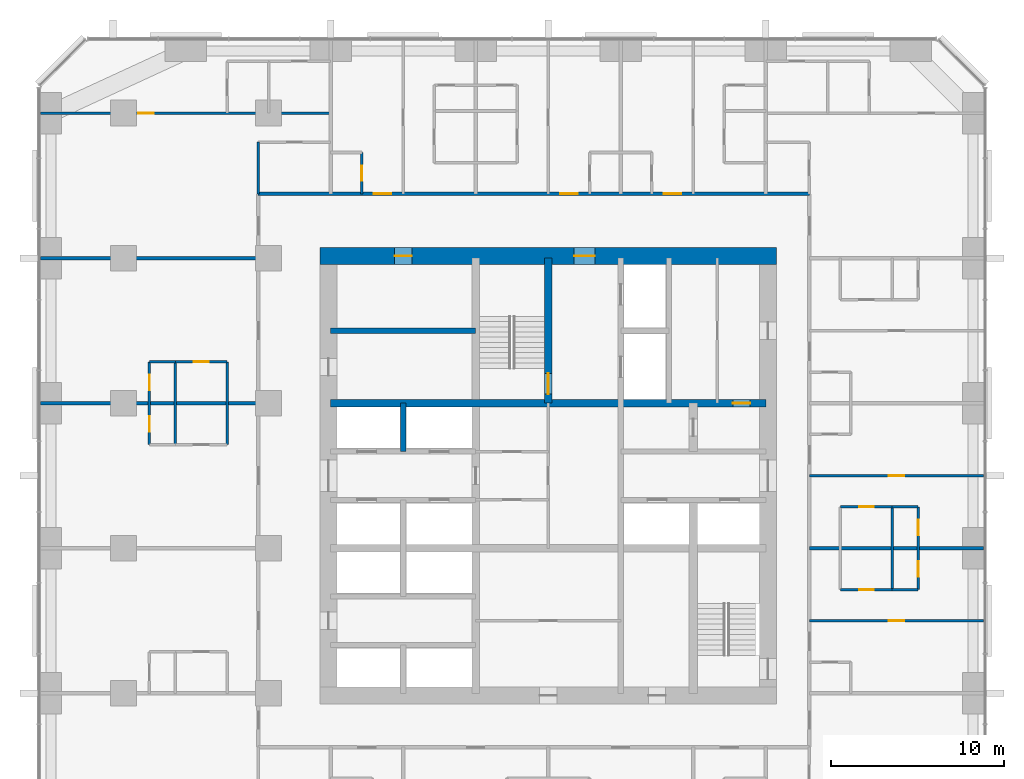
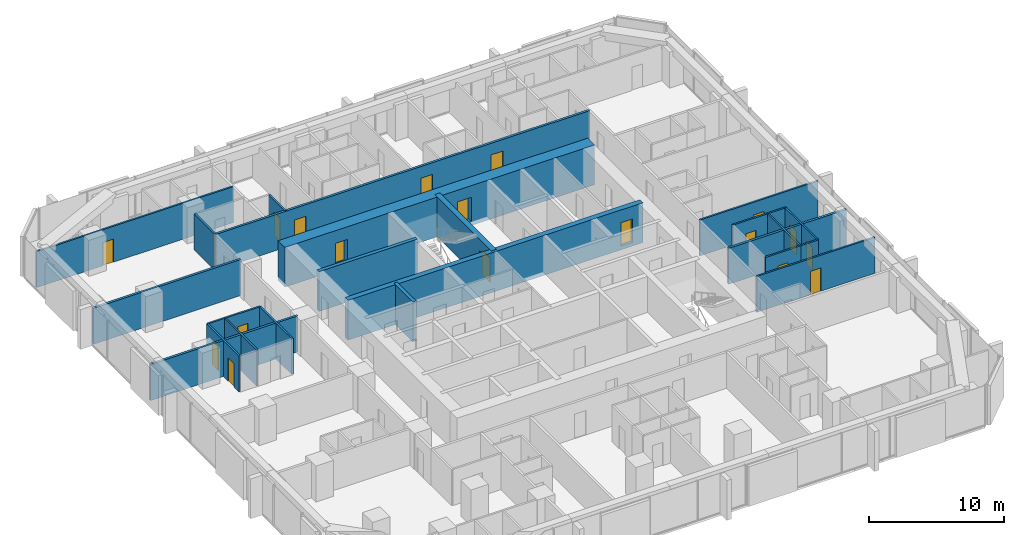
# One storey, part 11 of 14: 25 walls, 18 doors, 18 openings.
"""IFC4 building model written with IfcOpenShell, lengths in metres."""

from ifc_helpers import new_model, si_unit, direction, frame, frame_2d, origin, place, context, subcontext, project, spatial, rectangle, extrude, material, layer, layer_set, type_object, element, fill, save


model = new_model("IFC4")

# Units and contexts
model_context = context("Model", 3, precision=1e-05, world=origin(), true_north=direction((0.0, 1.0)))
body_context = subcontext(model_context, "Body", "Model", "MODEL_VIEW")
ifc_project = project(units=[si_unit("LENGTHUNIT", "METRE"), si_unit("AREAUNIT", "SQUARE_METRE"), si_unit("VOLUMEUNIT", "CUBIC_METRE"), si_unit("PLANEANGLEUNIT", "RADIAN"), si_unit("MASSUNIT", "GRAM", prefix="KILO")], contexts=[model_context])

# Site, building, storey
site_placement = place(None, origin())
site = spatial("IfcSite", under=ifc_project, at=site_placement, CompositionType="ELEMENT")
building_placement = place(site_placement, origin())
building = spatial("IfcBuilding", under=site, at=building_placement, Name="Dunama Terrace Hotel", CompositionType="ELEMENT")
storey_placement = place(building_placement, frame((0.0, 0.0, 129.60009765625)))
storey = spatial("IfcBuildingStorey", under=building, at=storey_placement, Name="L33", CompositionType="ELEMENT", Elevation=129.60009765625)

# Walls
ifc_material_1 = material(Name="Gypsum board partition", Category="masonry")
ifc_layer_1 = layer(ifc_material_1, 0.14990234375)
ifc_layer_set_1 = layer_set([ifc_layer_1], Name="Bathroom partition 150")
wall_type_1 = type_object("IfcWallType", Name="Bathroom partition 150", PredefinedType="PARTITIONING", material=ifc_layer_set_1)
wall_1_placement = place(storey_placement, frame((10.800048828125, 31.199951171875, 0.0), z_axis=(0.0, 0.0, 1.0), x_axis=(0.0, 1.0, 0.0)))
element("IfcWall", 1, at=wall_1_placement, inside=storey, type_object=wall_type_1, Name="Bathroom partition 150 L33", PredefinedType="PARTITIONING", context=body_context, shape_type="SweptSolid", body=[
    extrude(rectangle(XDim=4.800048828125, YDim=0.14990234375, at=frame_2d((2.39990234375, 0.0))), origin(), (0.0, 0.0, 1.0), 3.25),
])
wall_2_placement = place(storey_placement, frame((12.60009765625, 45.72509765625, 0.0), z_axis=(0.0, 0.0, 1.0), x_axis=(0.0, 1.0, 0.0)))
element("IfcWall", 2, at=wall_2_placement, inside=storey, type_object=wall_type_1, Name="Bathroom partition 150 L33", PredefinedType="PARTITIONING", context=body_context, shape_type="SweptSolid", body=[
    extrude(rectangle(XDim=3.0, YDim=0.14990234375, at=frame_2d((1.5, 0.0))), origin(), (0.0, 0.0, 1.0), 3.25),
])

# Wall, opening, door
wall_3_placement = place(storey_placement, frame((18.60009765625, 45.72509765625, 0.0), z_axis=(0.0, 0.0, 1.0), x_axis=(0.0, 1.0, 0.0)))
wall_3 = element("IfcWall", 3, at=wall_3_placement, inside=storey, type_object=wall_type_1, Name="Bathroom partition 150 L33", PredefinedType="PARTITIONING", context=body_context, shape_type="SweptSolid", body=[
    extrude(rectangle(XDim=2.39990234375, YDim=0.14990234375, at=frame_2d((1.199951171875, 0.0))), origin(), (0.0, 0.0, 1.0), 3.25),
])
opening_1_placement = place(wall_3_placement, frame((0.77490234375, 0.0, 0.0)))
opening_1 = element("IfcOpeningElement", 4, at=opening_1_placement, cuts=wall_3, Name="Opening L31-33-039", PredefinedType="OPENING", context=body_context, shape_type="SweptSolid", body=[
    extrude(rectangle(XDim=0.85009765625, YDim=2.10009765625, at=frame_2d((0.425048828125, 1.050048828125))), frame((0.0, 0.0849609375, 0.0), z_axis=(0.0, -1.0, 0.0), x_axis=(1.0, 0.0, 0.0)), (0.0, 0.0, 1.0), 0.169921875),
])
ifc_material_2 = material(Name="Timber door with steel frame", Category="steel")
door_type_1 = type_object("IfcDoorType", Name="Bathroom door 850", OperationType="SINGLE_SWING_LEFT", PredefinedType="DOOR", material=ifc_material_2)
door_1_placement = place(opening_1_placement, origin())
door_1 = element("IfcDoor", 5, at=door_1_placement, inside=storey, type_object=door_type_1, Name="Door to powder room L31-33-039, type D2", OperationType="SINGLE_SWING_LEFT", OverallHeight=2.10009765625, OverallWidth=0.85009765625, PredefinedType="DOOR", context=body_context, shape_type="SweptSolid", body=[
    extrude(rectangle(XDim=0.85009765625, YDim=2.10009765625, at=frame_2d((0.425048828125, 1.050048828125))), frame((0.0, 0.02490234375, 0.0), z_axis=(0.0, -1.0, 0.0), x_axis=(1.0, 0.0, 0.0)), (0.0, 0.0, 1.0), 0.050048828125),
])
fill(opening_1, door_1)

wall_4_placement = place(storey_placement, frame((46.324951171875, 22.800048828125, 0.0), z_axis=(0.0, 0.0, 1.0), x_axis=(1.0, 0.0, 0.0)))
wall_4 = element("IfcWall", 6, at=wall_4_placement, inside=storey, type_object=wall_type_1, Name="Bathroom partition 150 L33", PredefinedType="PARTITIONING", context=body_context, shape_type="SweptSolid", body=[
    extrude(rectangle(XDim=3.0, YDim=0.14990234375, at=frame_2d((1.5, 0.0))), origin(), (0.0, 0.0, 1.0), 3.25),
])
opening_2_placement = place(wall_4_placement, frame((1.074951171875, 0.0, 0.0)))
opening_2 = element("IfcOpeningElement", 7, at=opening_2_placement, cuts=wall_4, Name="Opening L31-33-026", PredefinedType="OPENING", context=body_context, shape_type="SweptSolid", body=[
    extrude(rectangle(XDim=0.85009765625, YDim=2.10009765625, at=frame_2d((0.425048828125, 1.050048828125))), frame((0.0, 0.0849609375, 0.0), z_axis=(0.0, -1.0, 0.0), x_axis=(1.0, 0.0, 0.0)), (0.0, 0.0, 1.0), 0.169921875),
])
door_2_placement = place(opening_2_placement, origin())
door_2 = element("IfcDoor", 8, at=door_2_placement, inside=storey, type_object=door_type_1, Name="Door to en-suite bathroom L31-33-026, type D2", OperationType="SINGLE_SWING_RIGHT", OverallHeight=2.10009765625, OverallWidth=0.85009765625, PredefinedType="DOOR", context=body_context, shape_type="SweptSolid", body=[
    extrude(rectangle(XDim=0.85009765625, YDim=2.10009765625, at=frame_2d((0.425048828125, 1.050048828125))), frame((0.0, 0.02490234375, 0.0), z_axis=(0.0, -1.0, 0.0), x_axis=(1.0, 0.0, 0.0)), (0.0, 0.0, 1.0), 0.050048828125),
])
fill(opening_2, door_2)

wall_5_placement = place(storey_placement, frame((46.324951171875, 27.60009765625, 0.0), z_axis=(0.0, 0.0, 1.0), x_axis=(1.0, 0.0, 0.0)))
wall_5 = element("IfcWall", 9, at=wall_5_placement, inside=storey, type_object=wall_type_1, Name="Bathroom partition 150 L33", PredefinedType="PARTITIONING", context=body_context, shape_type="SweptSolid", body=[
    extrude(rectangle(XDim=3.0, YDim=0.14990234375, at=frame_2d((1.5, 0.0))), origin(), (0.0, 0.0, 1.0), 3.25),
])
opening_3_placement = place(wall_5_placement, frame((1.074951171875, 0.0, 0.0)))
opening_3 = element("IfcOpeningElement", 10, at=opening_3_placement, cuts=wall_5, Name="Opening L31-33-031", PredefinedType="OPENING", context=body_context, shape_type="SweptSolid", body=[
    extrude(rectangle(XDim=0.85009765625, YDim=2.10009765625, at=frame_2d((0.425048828125, 1.050048828125))), frame((0.0, 0.0849609375, 0.0), z_axis=(0.0, -1.0, 0.0), x_axis=(1.0, 0.0, 0.0)), (0.0, 0.0, 1.0), 0.169921875),
])
door_3_placement = place(opening_3_placement, frame((0.85009765625, 0.0, 0.0), z_axis=(0.0, 0.0, 1.0), x_axis=(-1.0, 0.0, 0.0)))
door_3 = element("IfcDoor", 11, at=door_3_placement, inside=storey, type_object=door_type_1, Name="Door to en-suite bathroom L31-33-031, type D2", OperationType="SINGLE_SWING_LEFT", OverallHeight=2.10009765625, OverallWidth=0.85009765625, PredefinedType="DOOR", context=body_context, shape_type="SweptSolid", body=[
    extrude(rectangle(XDim=0.85009765625, YDim=2.10009765625, at=frame_2d((0.425048828125, 1.050048828125))), frame((0.0, 0.025146484375, 0.0), z_axis=(0.0, -1.0, 0.0), x_axis=(1.0, 0.0, 0.0)), (0.0, 0.0, 1.0), 0.050048828125),
])
fill(opening_3, door_3)

wall_6_placement = place(storey_placement, frame((7.800048828125, 36.0, 0.0), z_axis=(0.0, 0.0, 1.0), x_axis=(1.0, 0.0, 0.0)))
wall_6 = element("IfcWall", 12, at=wall_6_placement, inside=storey, type_object=wall_type_1, Name="Bathroom partition 150 L33", PredefinedType="PARTITIONING", context=body_context, shape_type="SweptSolid", body=[
    extrude(rectangle(XDim=3.0, YDim=0.14990234375, at=frame_2d((1.5, 0.0))), origin(), (0.0, 0.0, 1.0), 3.25),
])
opening_4_placement = place(wall_6_placement, frame((1.074951171875, 0.0, 0.0)))
opening_4 = element("IfcOpeningElement", 13, at=opening_4_placement, cuts=wall_6, Name="Opening L31-33-060", PredefinedType="OPENING", context=body_context, shape_type="SweptSolid", body=[
    extrude(rectangle(XDim=0.85009765625, YDim=2.10009765625, at=frame_2d((0.425048828125, 1.050048828125))), frame((0.0, 0.0849609375, 0.0), z_axis=(0.0, -1.0, 0.0), x_axis=(1.0, 0.0, 0.0)), (0.0, 0.0, 1.0), 0.169921875),
])
door_4_placement = place(opening_4_placement, frame((0.85009765625, 0.0, 0.0), z_axis=(0.0, 0.0, 1.0), x_axis=(-1.0, 0.0, 0.0)))
door_4 = element("IfcDoor", 14, at=door_4_placement, inside=storey, type_object=door_type_1, Name="Door to en-suite bathroom L31-33-060, type D2", OperationType="SINGLE_SWING_RIGHT", OverallHeight=2.10009765625, OverallWidth=0.85009765625, PredefinedType="DOOR", context=body_context, shape_type="SweptSolid", body=[
    extrude(rectangle(XDim=0.85009765625, YDim=2.10009765625, at=frame_2d((0.425048828125, 1.050048828125))), frame((0.0, 0.025146484375, 0.0), z_axis=(0.0, -1.0, 0.0), x_axis=(1.0, 0.0, 0.0)), (0.0, 0.0, 1.0), 0.050048828125),
])
fill(opening_4, door_4)

# Walls
ifc_material_3 = material(Name="Concrete C50/60", Category="concrete")
ifc_layer_2 = layer(ifc_material_3, 0.300048828125)
ifc_layer_set_2 = layer_set([ifc_layer_2], Name="Core inner wall 300")
wall_type_2 = type_object("IfcWallType", Name="Core inner wall 300", PredefinedType="SHEAR", material=ifc_layer_set_2)
wall_7_placement = place(storey_placement, frame((21.0, 30.800048828125, -0.35009765625), z_axis=(0.0, 0.0, 1.0), x_axis=(0.0, 1.0, 0.0)))
element("IfcWall", 15, at=wall_7_placement, inside=storey, type_object=wall_type_2, Name="Core inner wall 300 L33", PredefinedType="SHEAR", context=body_context, shape_type="SweptSolid", body=[
    extrude(rectangle(XDim=2.800048828125, YDim=0.300048828125, at=frame_2d((1.39990234375, 0.0))), origin(), (0.0, 0.0, 1.0), 3.60009765625),
])
wall_8_placement = place(storey_placement, frame((16.800048828125, 37.800048828125, -0.35009765625), z_axis=(0.0, 0.0, 1.0), x_axis=(1.0, 0.0, 0.0)))
element("IfcWall", 16, at=wall_8_placement, inside=storey, type_object=wall_type_2, Name="Core inner wall 300 L33", PredefinedType="SHEAR", context=body_context, shape_type="SweptSolid", body=[
    extrude(rectangle(XDim=8.39990234375, YDim=0.300048828125, at=frame_2d((4.199951171875, 0.0))), origin(), (0.0, 0.0, 1.0), 3.60009765625),
])

# Wall, opening, door
ifc_material_4 = material(Name="Concrete C50/60", Category="concrete")
ifc_layer_3 = layer(ifc_material_4, 0.449951171875)
ifc_layer_set_3 = layer_set([ifc_layer_3], Name="Core inner wall 450")
wall_type_3 = type_object("IfcWallType", Name="Core inner wall 450", PredefinedType="SHEAR", material=ifc_layer_set_3)
wall_9_placement = place(storey_placement, frame((29.39990234375, 33.60009765625, -0.35009765625), z_axis=(0.0, 0.0, 1.0), x_axis=(0.0, 1.0, 0.0)))
wall_9 = element("IfcWall", 17, at=wall_9_placement, inside=storey, type_object=wall_type_3, Name="Core inner wall 450 L33", PredefinedType="SHEAR", context=body_context, shape_type="SweptSolid", body=[
    extrude(rectangle(XDim=8.39990234375, YDim=0.449951171875, at=frame_2d((4.199951171875, 0.0))), origin(), (0.0, 0.0, 1.0), 3.60009765625),
])
opening_5_placement = place(wall_9_placement, frame((0.52490234375, 0.0, 0.35009765625)))
opening_5 = element("IfcOpeningElement", 18, at=opening_5_placement, cuts=wall_9, Name="Opening L31-33-001", PredefinedType="OPENING", context=body_context, shape_type="SweptSolid", body=[
    extrude(rectangle(XDim=1.199951171875, YDim=2.199951171875, at=frame_2d((0.60009765625, 1.10009765625))), frame((0.0, 0.23486328125, 0.0), z_axis=(0.0, -1.0, 0.0), x_axis=(1.0, 0.0, 0.0)), (0.0, 0.0, 1.0), 0.469970703125),
])
ifc_material_5 = material(Name="Timber door with steel frame", Category="steel")
door_type_2 = type_object("IfcDoorType", Name="Stair door 1200", OperationType="SINGLE_SWING_LEFT", PredefinedType="DOOR", material=ifc_material_5)
door_5_placement = place(opening_5_placement, origin())
door_5 = element("IfcDoor", 19, at=door_5_placement, inside=storey, type_object=door_type_2, Name="Stair door ST1 L31-33-001, type D5", OperationType="SINGLE_SWING_LEFT", OverallHeight=2.199951171875, OverallWidth=1.199951171875, PredefinedType="DOOR", context=body_context, shape_type="SweptSolid", body=[
    extrude(rectangle(XDim=1.199951171875, YDim=2.199951171875, at=frame_2d((0.60009765625, 1.10009765625))), frame((0.0, 0.02490234375, 0.0), z_axis=(0.0, -1.0, 0.0), x_axis=(1.0, 0.0, 0.0)), (0.0, 0.0, 1.0), 0.050048828125),
])
fill(opening_5, door_5)

wall_10_placement = place(storey_placement, frame((16.800048828125, 33.60009765625, -0.35009765625), z_axis=(0.0, 0.0, 1.0), x_axis=(1.0, 0.0, 0.0)))
wall_10 = element("IfcWall", 20, at=wall_10_placement, inside=storey, type_object=wall_type_3, Name="Core inner wall 450 L33", PredefinedType="SHEAR", context=body_context, shape_type="SweptSolid", body=[
    extrude(rectangle(XDim=25.199951171875, YDim=0.449951171875, at=frame_2d((12.60009765625, 0.0))), origin(), (0.0, 0.0, 1.0), 3.60009765625),
])
opening_6_placement = place(wall_10_placement, frame((23.300048828125, 0.0, 0.35009765625)))
opening_6 = element("IfcOpeningElement", 21, at=opening_6_placement, cuts=wall_10, Name="Opening L31-33-091", PredefinedType="OPENING", context=body_context, shape_type="SweptSolid", body=[
    extrude(rectangle(XDim=1.0, YDim=2.10009765625, at=frame_2d((0.5, 1.050048828125))), frame((0.0, 0.23486328125, 0.0), z_axis=(0.0, -1.0, 0.0), x_axis=(1.0, 0.0, 0.0)), (0.0, 0.0, 1.0), 0.469970703125),
])
ifc_material_6 = material(Name="Timber door with steel frame", Category="steel")
door_type_3 = type_object("IfcDoorType", Name="Service door 1000", OperationType="SINGLE_SWING_LEFT", PredefinedType="DOOR", material=ifc_material_6)
door_6_placement = place(opening_6_placement, frame((1.0, 0.0, 0.0), z_axis=(0.0, 0.0, 1.0), x_axis=(-1.0, 0.0, 0.0)))
door_6 = element("IfcDoor", 22, at=door_6_placement, inside=storey, type_object=door_type_3, Name="Door to housekeeping and linen store L31-33-091, type D7", OperationType="SINGLE_SWING_LEFT", OverallHeight=2.10009765625, OverallWidth=1.0, PredefinedType="DOOR", context=body_context, shape_type="SweptSolid", body=[
    extrude(rectangle(XDim=1.0, YDim=2.10009765625, at=frame_2d((0.5, 1.050048828125))), frame((0.0, 0.025146484375, 0.0), z_axis=(0.0, -1.0, 0.0), x_axis=(1.0, 0.0, 0.0)), (0.0, 0.0, 1.0), 0.050048828125),
])
fill(opening_6, door_6)

# Wall, openings, doors
ifc_material_7 = material(Name="Concrete C60/75", Category="concrete")
ifc_layer_4 = layer(ifc_material_7, 1.0)
ifc_layer_set_4 = layer_set([ifc_layer_4], Name="Core wall 1000")
wall_type_4 = type_object("IfcWallType", Name="Core wall 1000", PredefinedType="SHEAR", material=ifc_layer_set_4)
wall_11_placement = place(storey_placement, frame((42.625, 42.125, -0.35009765625), z_axis=(0.0, 0.0, 1.0), x_axis=(-1.0, 0.0, 0.0)))
wall_11 = element("IfcWall", 23, at=wall_11_placement, inside=storey, type_object=wall_type_4, Name="Core wall north L33", PredefinedType="SHEAR", context=body_context, shape_type="SweptSolid", body=[
    extrude(rectangle(XDim=26.449951171875, YDim=1.0, at=frame_2d((13.22509765625, 0.0))), origin(), (0.0, 0.0, 1.0), 3.60009765625),
])
opening_7_placement = place(wall_11_placement, frame((21.125, 0.0, 0.35009765625)))
opening_7 = element("IfcOpeningElement", 24, at=opening_7_placement, cuts=wall_11, Name="Opening L31-33-085", PredefinedType="OPENING", context=body_context, shape_type="SweptSolid", body=[
    extrude(rectangle(XDim=1.0, YDim=2.10009765625, at=frame_2d((0.5, 1.050048828125))), frame((0.0, 0.510009765625, 0.0), z_axis=(0.0, -1.0, 0.0), x_axis=(1.0, 0.0, 0.0)), (0.0, 0.0, 1.0), 1.02001953125),
])
opening_8_placement = place(wall_11_placement, frame((10.52490234375, 0.0, 0.35009765625)))
opening_8 = element("IfcOpeningElement", 25, at=opening_8_placement, cuts=wall_11, Name="Opening L31-33-093", PredefinedType="OPENING", context=body_context, shape_type="SweptSolid", body=[
    extrude(rectangle(XDim=1.199951171875, YDim=2.199951171875, at=frame_2d((0.60009765625, 1.10009765625))), frame((0.0, 0.510009765625, 0.0), z_axis=(0.0, -1.0, 0.0), x_axis=(1.0, 0.0, 0.0)), (0.0, 0.0, 1.0), 1.02001953125),
])
ifc_material_8 = material(Name="Timber door with steel frame", Category="steel")
door_type_4 = type_object("IfcDoorType", Name="Firefighting lobby door 1200", OperationType="SINGLE_SWING_LEFT", PredefinedType="DOOR", material=ifc_material_8)
door_7_placement = place(opening_8_placement, origin())
door_7 = element("IfcDoor", 26, at=door_7_placement, inside=storey, type_object=door_type_4, Name="Door to firefighting lobby L31-33-093, type D4", OperationType="SINGLE_SWING_RIGHT", OverallHeight=2.199951171875, OverallWidth=1.199951171875, PredefinedType="DOOR", context=body_context, shape_type="SweptSolid", body=[
    extrude(rectangle(XDim=1.199951171875, YDim=2.199951171875, at=frame_2d((0.60009765625, 1.10009765625))), frame((0.0, 0.02490234375, 0.0), z_axis=(0.0, -1.0, 0.0), x_axis=(1.0, 0.0, 0.0)), (0.0, 0.0, 1.0), 0.050048828125),
])
fill(opening_8, door_7)
door_8_placement = place(opening_7_placement, origin())
door_8 = element("IfcDoor", 27, at=door_8_placement, inside=storey, type_object=door_type_3, Name="Door to communications and riser room L31-33-085, type D7", OperationType="SINGLE_SWING_LEFT", OverallHeight=2.10009765625, OverallWidth=1.0, PredefinedType="DOOR", context=body_context, shape_type="SweptSolid", body=[
    extrude(rectangle(XDim=1.0, YDim=2.10009765625, at=frame_2d((0.5, 1.050048828125))), frame((0.0, 0.02490234375, 0.0), z_axis=(0.0, -1.0, 0.0), x_axis=(1.0, 0.0, 0.0)), (0.0, 0.0, 1.0), 0.050048828125),
])
fill(opening_7, door_8)

ifc_material_9 = material(Name="Concrete blockwork", Category="masonry")
ifc_layer_5 = layer(ifc_material_9, 0.199951171875)
ifc_layer_set_5 = layer_set([ifc_layer_5], Name="Corridor partition 200")
wall_type_5 = type_object("IfcWallType", Name="Corridor partition 200", PredefinedType="PARTITIONING", material=ifc_layer_set_5)
wall_12_placement = place(storey_placement, frame((12.60009765625, 45.72509765625, 0.0), z_axis=(0.0, 0.0, 1.0), x_axis=(1.0, 0.0, 0.0)))
wall_12 = element("IfcWall", 28, at=wall_12_placement, inside=storey, type_object=wall_type_5, Name="Corridor partition 200 L33", PredefinedType="PARTITIONING", context=body_context, shape_type="SweptSolid", body=[
    extrude(rectangle(XDim=31.9248046875, YDim=0.199951171875, at=frame_2d((15.96240234375, 0.0))), origin(), (0.0, 0.0, 1.0), 3.25),
])
opening_9_placement = place(wall_12_placement, frame((6.699951171875, 0.0, 0.0)))
opening_9 = element("IfcOpeningElement", 29, at=opening_9_placement, cuts=wall_12, Name="Opening L31-33-038", PredefinedType="OPENING", context=body_context, shape_type="SweptSolid", body=[
    extrude(rectangle(XDim=1.0, YDim=2.199951171875, at=frame_2d((0.5, 1.10009765625))), frame((0.0, 0.10986328125, 0.0), z_axis=(0.0, -1.0, 0.0), x_axis=(1.0, 0.0, 0.0)), (0.0, 0.0, 1.0), 0.219970703125),
])
opening_10_placement = place(wall_12_placement, frame((17.5, 0.0, 0.0)))
opening_10 = element("IfcOpeningElement", 30, at=opening_10_placement, cuts=wall_12, Name="Opening L31-33-043", PredefinedType="OPENING", context=body_context, shape_type="SweptSolid", body=[
    extrude(rectangle(XDim=1.0, YDim=2.199951171875, at=frame_2d((0.5, 1.10009765625))), frame((0.0, 0.10986328125, 0.0), z_axis=(0.0, -1.0, 0.0), x_axis=(1.0, 0.0, 0.0)), (0.0, 0.0, 1.0), 0.219970703125),
])
opening_11_placement = place(wall_12_placement, frame((23.5, 0.0, 0.0)))
opening_11 = element("IfcOpeningElement", 31, at=opening_11_placement, cuts=wall_12, Name="Opening L31-33-048", PredefinedType="OPENING", context=body_context, shape_type="SweptSolid", body=[
    extrude(rectangle(XDim=1.0, YDim=2.199951171875, at=frame_2d((0.5, 1.10009765625))), frame((0.0, 0.10986328125, 0.0), z_axis=(0.0, -1.0, 0.0), x_axis=(1.0, 0.0, 0.0)), (0.0, 0.0, 1.0), 0.219970703125),
])
ifc_material_10 = material(Name="Timber door with steel frame", Category="steel")
door_type_5 = type_object("IfcDoorType", Name="Guest room door 1000", OperationType="SINGLE_SWING_LEFT", PredefinedType="DOOR", material=ifc_material_10)
door_9_placement = place(opening_9_placement, origin())
door_9 = element("IfcDoor", 32, at=door_9_placement, inside=storey, type_object=door_type_5, Name="Door to premier suite living room L31-33-038, type D1", OperationType="SINGLE_SWING_LEFT", OverallHeight=2.199951171875, OverallWidth=1.0, PredefinedType="DOOR", context=body_context, shape_type="SweptSolid", body=[
    extrude(rectangle(XDim=1.0, YDim=2.199951171875, at=frame_2d((0.5, 1.10009765625))), frame((0.0, 0.02490234375, 0.0), z_axis=(0.0, -1.0, 0.0), x_axis=(1.0, 0.0, 0.0)), (0.0, 0.0, 1.0), 0.050048828125),
])
fill(opening_9, door_9)
door_10_placement = place(opening_10_placement, origin())
door_10 = element("IfcDoor", 33, at=door_10_placement, inside=storey, type_object=door_type_5, Name="Door to premier suite living room L31-33-043, type D1", OperationType="SINGLE_SWING_RIGHT", OverallHeight=2.199951171875, OverallWidth=1.0, PredefinedType="DOOR", context=body_context, shape_type="SweptSolid", body=[
    extrude(rectangle(XDim=1.0, YDim=2.199951171875, at=frame_2d((0.5, 1.10009765625))), frame((0.0, 0.02490234375, 0.0), z_axis=(0.0, -1.0, 0.0), x_axis=(1.0, 0.0, 0.0)), (0.0, 0.0, 1.0), 0.050048828125),
])
fill(opening_10, door_10)
door_11_placement = place(opening_11_placement, origin())
door_11 = element("IfcDoor", 34, at=door_11_placement, inside=storey, type_object=door_type_5, Name="Door to premier suite living room L31-33-048, type D1", OperationType="SINGLE_SWING_RIGHT", OverallHeight=2.199951171875, OverallWidth=1.0, PredefinedType="DOOR", context=body_context, shape_type="SweptSolid", body=[
    extrude(rectangle(XDim=1.0, YDim=2.199951171875, at=frame_2d((0.5, 1.10009765625))), frame((0.0, 0.02490234375, 0.0), z_axis=(0.0, -1.0, 0.0), x_axis=(1.0, 0.0, 0.0)), (0.0, 0.0, 1.0), 0.050048828125),
])
fill(opening_11, door_11)

# Walls
ifc_material_11 = material(Name="Concrete blockwork", Category="masonry")
ifc_layer_6 = layer(ifc_material_11, 0.199951171875)
ifc_layer_set_6 = layer_set([ifc_layer_6], Name="Party wall 200")
wall_type_6 = type_object("IfcWallType", Name="Party wall 200", PredefinedType="PARTITIONING", material=ifc_layer_set_6)
wall_13_placement = place(storey_placement, frame((44.52490234375, 25.199951171875, 0.0), z_axis=(0.0, 0.0, 1.0), x_axis=(1.0, 0.0, 0.0)))
element("IfcWall", 35, at=wall_13_placement, inside=storey, type_object=wall_type_6, Name="Party wall 200 L33", PredefinedType="PARTITIONING", context=body_context, shape_type="SweptSolid", body=[
    extrude(rectangle(XDim=10.093017578125, YDim=0.199951171875, at=frame_2d((5.04638671875, 0.0))), origin(), (0.0, 0.0, 1.0), 3.25),
])
for number, where, z_axis, x_axis, name in (
    (36, (-0.01806640625, 33.60009765625, 0.0), (0.0, 0.0, 1.0), (1.0, 0.0, 0.0), "Party wall 200 L33"),
    (37, (-0.01806640625, 42.0, 0.0), (0.0, 0.0, 1.0), (1.0, 0.0, 0.0), "Party wall 200 L33"),
):
    element("IfcWall", number, at=place(storey_placement, frame(where, z_axis=z_axis, x_axis=x_axis)), inside=storey, type_object=wall_type_6, Name=name, PredefinedType="PARTITIONING", context=body_context, shape_type="SweptSolid", body=[
        extrude(rectangle(XDim=12.6181640625, YDim=0.199951171875, at=frame_2d((6.30908203125, 0.0))), origin(), (0.0, 0.0, 1.0), 3.25),
    ])

# Wall, openings, doors
ifc_material_12 = material(Name="Gypsum board partition", Category="masonry")
ifc_layer_7 = layer(ifc_material_12, 0.14990234375)
ifc_layer_set_7 = layer_set([ifc_layer_7], Name="Room partition 150")
wall_type_7 = type_object("IfcWallType", Name="Room partition 150", PredefinedType="PARTITIONING", material=ifc_layer_set_7)
wall_14_placement = place(storey_placement, frame((6.300048828125, 31.199951171875, 0.0), z_axis=(0.0, 0.0, 1.0), x_axis=(0.0, 1.0, 0.0)))
wall_14 = element("IfcWall", 38, at=wall_14_placement, inside=storey, type_object=wall_type_7, Name="Room partition 150 L33", PredefinedType="PARTITIONING", context=body_context, shape_type="SweptSolid", body=[
    extrude(rectangle(XDim=4.800048828125, YDim=0.14990234375, at=frame_2d((2.39990234375, 0.0))), origin(), (0.0, 0.0, 1.0), 3.25),
])
opening_12_placement = place(wall_14_placement, frame((0.75, 0.0, 0.0)))
opening_12 = element("IfcOpeningElement", 39, at=opening_12_placement, cuts=wall_14, Name="Opening L31-33-058", PredefinedType="OPENING", context=body_context, shape_type="SweptSolid", body=[
    extrude(rectangle(XDim=0.89990234375, YDim=2.10009765625, at=frame_2d((0.449951171875, 1.050048828125))), frame((0.0, 0.0849609375, 0.0), z_axis=(0.0, -1.0, 0.0), x_axis=(1.0, 0.0, 0.0)), (0.0, 0.0, 1.0), 0.169921875),
])
opening_13_placement = place(wall_14_placement, frame((3.14990234375, 0.0, 0.0)))
opening_13 = element("IfcOpeningElement", 40, at=opening_13_placement, cuts=wall_14, Name="Opening L31-33-061", PredefinedType="OPENING", context=body_context, shape_type="SweptSolid", body=[
    extrude(rectangle(XDim=0.89990234375, YDim=2.10009765625, at=frame_2d((0.449951171875, 1.050048828125))), frame((0.0, 0.0849609375, 0.0), z_axis=(0.0, -1.0, 0.0), x_axis=(1.0, 0.0, 0.0)), (0.0, 0.0, 1.0), 0.169921875),
])
ifc_material_13 = material(Name="Timber door with steel frame", Category="steel")
door_type_6 = type_object("IfcDoorType", Name="Suite internal door 900", OperationType="SINGLE_SWING_LEFT", PredefinedType="DOOR", material=ifc_material_13)
door_12_placement = place(opening_12_placement, frame((0.89990234375, 0.0, 0.0), z_axis=(0.0, 0.0, 1.0), x_axis=(-1.0, 0.0, 0.0)))
door_12 = element("IfcDoor", 41, at=door_12_placement, inside=storey, type_object=door_type_6, Name="Door to walk-in wardrobe L31-33-058, type D16", OperationType="SINGLE_SWING_RIGHT", OverallHeight=2.10009765625, OverallWidth=0.89990234375, PredefinedType="DOOR", context=body_context, shape_type="SweptSolid", body=[
    extrude(rectangle(XDim=0.89990234375, YDim=2.10009765625, at=frame_2d((0.449951171875, 1.050048828125))), frame((0.0, 0.025146484375, 0.0), z_axis=(0.0, -1.0, 0.0), x_axis=(1.0, 0.0, 0.0)), (0.0, 0.0, 1.0), 0.050048828125),
])
fill(opening_12, door_12)
door_13_placement = place(opening_13_placement, frame((0.89990234375, 0.0, 0.0), z_axis=(0.0, 0.0, 1.0), x_axis=(-1.0, 0.0, 0.0)))
door_13 = element("IfcDoor", 42, at=door_13_placement, inside=storey, type_object=door_type_6, Name="Door to walk-in wardrobe L31-33-061, type D16", OperationType="SINGLE_SWING_RIGHT", OverallHeight=2.10009765625, OverallWidth=0.89990234375, PredefinedType="DOOR", context=body_context, shape_type="SweptSolid", body=[
    extrude(rectangle(XDim=0.89990234375, YDim=2.10009765625, at=frame_2d((0.449951171875, 1.050048828125))), frame((0.0, 0.025146484375, 0.0), z_axis=(0.0, -1.0, 0.0), x_axis=(1.0, 0.0, 0.0)), (0.0, 0.0, 1.0), 0.050048828125),
])
fill(opening_13, door_13)

# Walls
for number, where, z_axis, x_axis, name in (
    (43, (7.800048828125, 31.199951171875, 0.0), (0.0, 0.0, 1.0), (0.0, 1.0, 0.0), "Room partition 150 L33"),
    (44, (49.324951171875, 22.800048828125, 0.0), (0.0, 0.0, 1.0), (0.0, 1.0, 0.0), "Room partition 150 L33"),
):
    element("IfcWall", number, at=place(storey_placement, frame(where, z_axis=z_axis, x_axis=x_axis)), inside=storey, type_object=wall_type_7, Name=name, PredefinedType="PARTITIONING", context=body_context, shape_type="SweptSolid", body=[
        extrude(rectangle(XDim=4.800048828125, YDim=0.14990234375, at=frame_2d((2.39990234375, 0.0))), origin(), (0.0, 0.0, 1.0), 3.25),
    ])

# Wall, openings, doors
wall_15_placement = place(storey_placement, frame((50.824951171875, 22.800048828125, 0.0), z_axis=(0.0, 0.0, 1.0), x_axis=(0.0, 1.0, 0.0)))
wall_15 = element("IfcWall", 45, at=wall_15_placement, inside=storey, type_object=wall_type_7, Name="Room partition 150 L33", PredefinedType="PARTITIONING", context=body_context, shape_type="SweptSolid", body=[
    extrude(rectangle(XDim=4.800048828125, YDim=0.14990234375, at=frame_2d((2.39990234375, 0.0))), origin(), (0.0, 0.0, 1.0), 3.25),
])
opening_14_placement = place(wall_15_placement, frame((0.75, 0.0, 0.0)))
opening_14 = element("IfcOpeningElement", 46, at=opening_14_placement, cuts=wall_15, Name="Opening L31-33-027", PredefinedType="OPENING", context=body_context, shape_type="SweptSolid", body=[
    extrude(rectangle(XDim=0.89990234375, YDim=2.10009765625, at=frame_2d((0.449951171875, 1.050048828125))), frame((0.0, 0.0849609375, 0.0), z_axis=(0.0, -1.0, 0.0), x_axis=(1.0, 0.0, 0.0)), (0.0, 0.0, 1.0), 0.169921875),
])
opening_15_placement = place(wall_15_placement, frame((3.14990234375, 0.0, 0.0)))
opening_15 = element("IfcOpeningElement", 47, at=opening_15_placement, cuts=wall_15, Name="Opening L31-33-032", PredefinedType="OPENING", context=body_context, shape_type="SweptSolid", body=[
    extrude(rectangle(XDim=0.89990234375, YDim=2.10009765625, at=frame_2d((0.449951171875, 1.050048828125))), frame((0.0, 0.0849609375, 0.0), z_axis=(0.0, -1.0, 0.0), x_axis=(1.0, 0.0, 0.0)), (0.0, 0.0, 1.0), 0.169921875),
])
door_14_placement = place(opening_14_placement, origin())
door_14 = element("IfcDoor", 48, at=door_14_placement, inside=storey, type_object=door_type_6, Name="Door to walk-in wardrobe L31-33-027, type D16", OperationType="SINGLE_SWING_LEFT", OverallHeight=2.10009765625, OverallWidth=0.89990234375, PredefinedType="DOOR", context=body_context, shape_type="SweptSolid", body=[
    extrude(rectangle(XDim=0.89990234375, YDim=2.10009765625, at=frame_2d((0.449951171875, 1.050048828125))), frame((0.0, 0.02490234375, 0.0), z_axis=(0.0, -1.0, 0.0), x_axis=(1.0, 0.0, 0.0)), (0.0, 0.0, 1.0), 0.050048828125),
])
fill(opening_14, door_14)
door_15_placement = place(opening_15_placement, origin())
door_15 = element("IfcDoor", 49, at=door_15_placement, inside=storey, type_object=door_type_6, Name="Door to walk-in wardrobe L31-33-032, type D16", OperationType="SINGLE_SWING_LEFT", OverallHeight=2.10009765625, OverallWidth=0.89990234375, PredefinedType="DOOR", context=body_context, shape_type="SweptSolid", body=[
    extrude(rectangle(XDim=0.89990234375, YDim=2.10009765625, at=frame_2d((0.449951171875, 1.050048828125))), frame((0.0, 0.02490234375, 0.0), z_axis=(0.0, -1.0, 0.0), x_axis=(1.0, 0.0, 0.0)), (0.0, 0.0, 1.0), 0.050048828125),
])
fill(opening_15, door_15)

# Wall, opening, door
wall_16_placement = place(storey_placement, frame((44.52490234375, 21.0, 0.0), z_axis=(0.0, 0.0, 1.0), x_axis=(1.0, 0.0, 0.0)))
wall_16 = element("IfcWall", 50, at=wall_16_placement, inside=storey, type_object=wall_type_7, Name="Room partition 150 L33", PredefinedType="PARTITIONING", context=body_context, shape_type="SweptSolid", body=[
    extrude(rectangle(XDim=10.093017578125, YDim=0.14990234375, at=frame_2d((5.04638671875, 0.0))), origin(), (0.0, 0.0, 1.0), 3.25),
])
opening_16_placement = place(wall_16_placement, frame((4.5869140625, 0.0, 0.0)))
opening_16 = element("IfcOpeningElement", 51, at=opening_16_placement, cuts=wall_16, Name="Opening L31-33-025", PredefinedType="OPENING", context=body_context, shape_type="SweptSolid", body=[
    extrude(rectangle(XDim=0.89990234375, YDim=2.10009765625, at=frame_2d((0.449951171875, 1.050048828125))), frame((0.0, 0.0849609375, 0.0), z_axis=(0.0, -1.0, 0.0), x_axis=(1.0, 0.0, 0.0)), (0.0, 0.0, 1.0), 0.169921875),
])
door_16_placement = place(opening_16_placement, origin())
door_16 = element("IfcDoor", 52, at=door_16_placement, inside=storey, type_object=door_type_6, Name="Door to executive suite bedroom L31-33-025, type D16", OperationType="SINGLE_SWING_LEFT", OverallHeight=2.10009765625, OverallWidth=0.89990234375, PredefinedType="DOOR", context=body_context, shape_type="SweptSolid", body=[
    extrude(rectangle(XDim=0.89990234375, YDim=2.10009765625, at=frame_2d((0.449951171875, 1.050048828125))), frame((0.0, 0.02490234375, 0.0), z_axis=(0.0, -1.0, 0.0), x_axis=(1.0, 0.0, 0.0)), (0.0, 0.0, 1.0), 0.050048828125),
])
fill(opening_16, door_16)

# Walls
for number, where, z_axis, x_axis, name in (
    (53, (49.324951171875, 22.800048828125, 0.0), (0.0, 0.0, 1.0), (1.0, 0.0, 0.0), "Room partition 150 L33"),
    (54, (49.324951171875, 27.60009765625, 0.0), (0.0, 0.0, 1.0), (1.0, 0.0, 0.0), "Room partition 150 L33"),
):
    element("IfcWall", number, at=place(storey_placement, frame(where, z_axis=z_axis, x_axis=x_axis)), inside=storey, type_object=wall_type_7, Name=name, PredefinedType="PARTITIONING", context=body_context, shape_type="SweptSolid", body=[
        extrude(rectangle(XDim=1.5, YDim=0.14990234375, at=frame_2d((0.75, 0.0))), origin(), (0.0, 0.0, 1.0), 3.25),
    ])

# Wall, opening, door
wall_17_placement = place(storey_placement, frame((44.52490234375, 29.39990234375, 0.0), z_axis=(0.0, 0.0, 1.0), x_axis=(1.0, 0.0, 0.0)))
wall_17 = element("IfcWall", 55, at=wall_17_placement, inside=storey, type_object=wall_type_7, Name="Room partition 150 L33", PredefinedType="PARTITIONING", context=body_context, shape_type="SweptSolid", body=[
    extrude(rectangle(XDim=10.093017578125, YDim=0.14990234375, at=frame_2d((5.04638671875, 0.0))), origin(), (0.0, 0.0, 1.0), 3.25),
])
opening_17_placement = place(wall_17_placement, frame((4.5869140625, 0.0, 0.0)))
opening_17 = element("IfcOpeningElement", 56, at=opening_17_placement, cuts=wall_17, Name="Opening L31-33-030", PredefinedType="OPENING", context=body_context, shape_type="SweptSolid", body=[
    extrude(rectangle(XDim=0.89990234375, YDim=2.10009765625, at=frame_2d((0.449951171875, 1.050048828125))), frame((0.0, 0.0849609375, 0.0), z_axis=(0.0, -1.0, 0.0), x_axis=(1.0, 0.0, 0.0)), (0.0, 0.0, 1.0), 0.169921875),
])
door_17_placement = place(opening_17_placement, frame((0.89990234375, 0.0, 0.0), z_axis=(0.0, 0.0, 1.0), x_axis=(-1.0, 0.0, 0.0)))
door_17 = element("IfcDoor", 57, at=door_17_placement, inside=storey, type_object=door_type_6, Name="Door to executive suite bedroom L31-33-030, type D16", OperationType="SINGLE_SWING_RIGHT", OverallHeight=2.10009765625, OverallWidth=0.89990234375, PredefinedType="DOOR", context=body_context, shape_type="SweptSolid", body=[
    extrude(rectangle(XDim=0.89990234375, YDim=2.10009765625, at=frame_2d((0.449951171875, 1.050048828125))), frame((0.0, 0.025146484375, 0.0), z_axis=(0.0, -1.0, 0.0), x_axis=(1.0, 0.0, 0.0)), (0.0, 0.0, 1.0), 0.050048828125),
])
fill(opening_17, door_17)

# Wall
wall_18_placement = place(storey_placement, frame((6.300048828125, 36.0, 0.0), z_axis=(0.0, 0.0, 1.0), x_axis=(1.0, 0.0, 0.0)))
element("IfcWall", 58, at=wall_18_placement, inside=storey, type_object=wall_type_7, Name="Room partition 150 L33", PredefinedType="PARTITIONING", context=body_context, shape_type="SweptSolid", body=[
    extrude(rectangle(XDim=1.5, YDim=0.14990234375, at=frame_2d((0.75, 0.0))), origin(), (0.0, 0.0, 1.0), 3.25),
])

# Wall, opening, door
wall_19_placement = place(storey_placement, frame((-0.01806640625, 50.39990234375, 0.0), z_axis=(0.0, 0.0, 1.0), x_axis=(1.0, 0.0, 0.0)))
wall_19 = element("IfcWall", 59, at=wall_19_placement, inside=storey, type_object=wall_type_7, Name="Room partition 150 L33", PredefinedType="PARTITIONING", context=body_context, shape_type="SweptSolid", body=[
    extrude(rectangle(XDim=16.818115234375, YDim=0.14990234375, at=frame_2d((8.4091796875, 0.0))), origin(), (0.0, 0.0, 1.0), 3.25),
])
opening_18_placement = place(wall_19_placement, frame((5.66796875, 0.0, 0.0)))
opening_18 = element("IfcOpeningElement", 60, at=opening_18_placement, cuts=wall_19, Name="Opening L31-33-079", PredefinedType="OPENING", context=body_context, shape_type="SweptSolid", body=[
    extrude(rectangle(XDim=0.89990234375, YDim=2.10009765625, at=frame_2d((0.449951171875, 1.050048828125))), frame((0.0, 0.0849609375, 0.0), z_axis=(0.0, -1.0, 0.0), x_axis=(1.0, 0.0, 0.0)), (0.0, 0.0, 1.0), 0.169921875),
])
door_18_placement = place(opening_18_placement, origin())
door_18 = element("IfcDoor", 61, at=door_18_placement, inside=storey, type_object=door_type_6, Name="Door to corner suite bedroom L31-33-079, type D16", OperationType="SINGLE_SWING_LEFT", OverallHeight=2.10009765625, OverallWidth=0.89990234375, PredefinedType="DOOR", context=body_context, shape_type="SweptSolid", body=[
    extrude(rectangle(XDim=0.89990234375, YDim=2.10009765625, at=frame_2d((0.449951171875, 1.050048828125))), frame((0.0, 0.02490234375, 0.0), z_axis=(0.0, -1.0, 0.0), x_axis=(1.0, 0.0, 0.0)), (0.0, 0.0, 1.0), 0.050048828125),
])
fill(opening_18, door_18)

save(model, "model.ifc")
